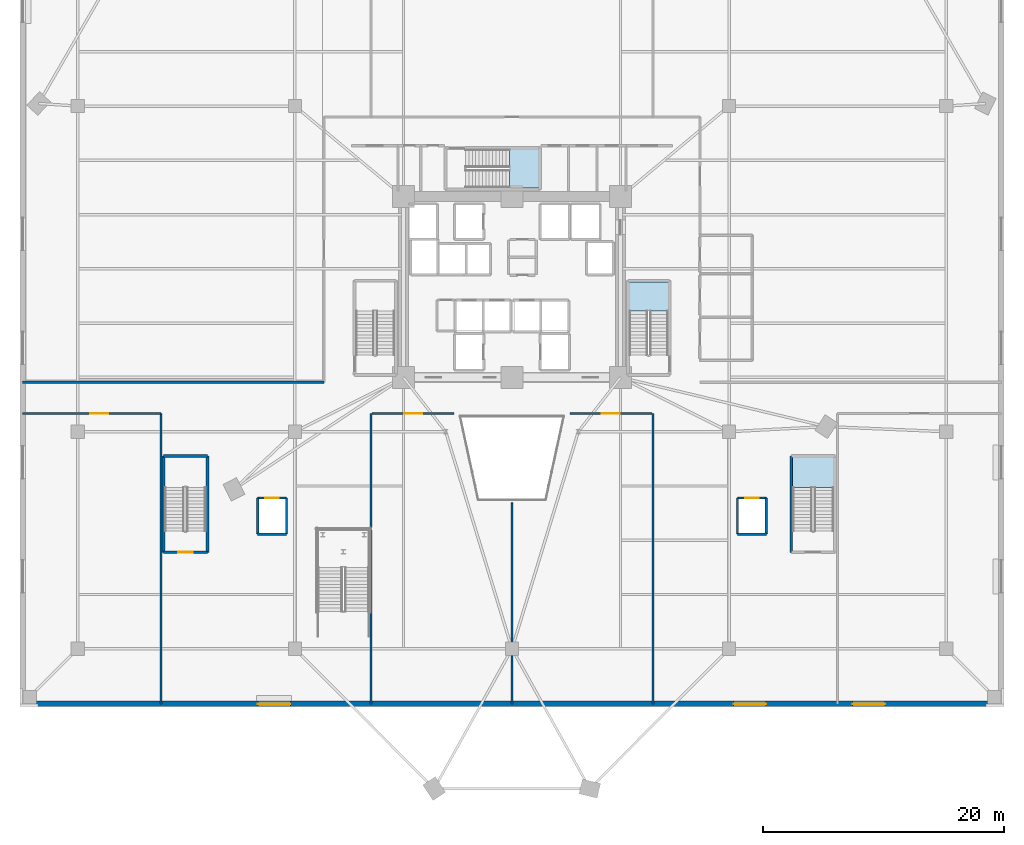
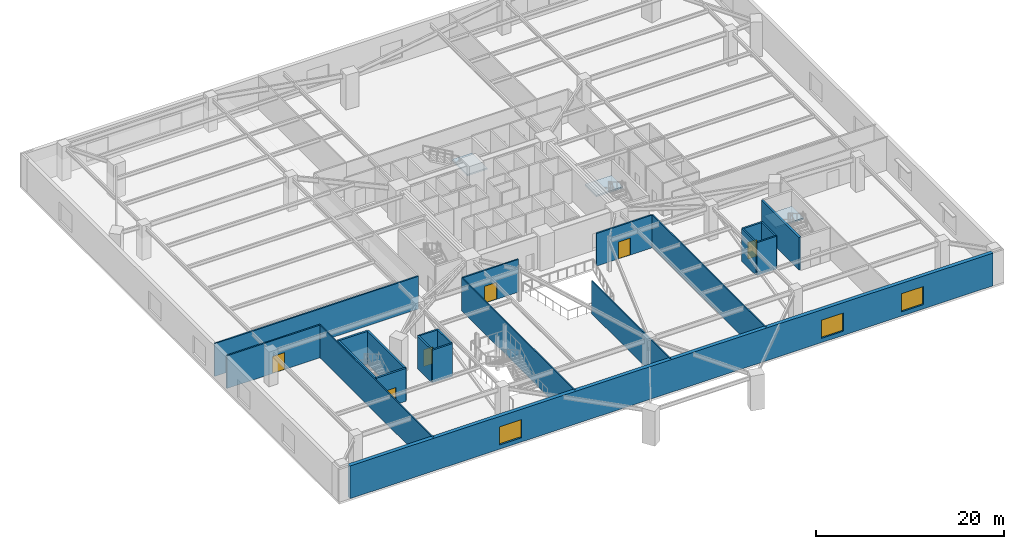
# One storey, part 5 of 16: 22 walls, 6 doors, 3 slabs, 3 windows, 9 openings, 3 elements without a shape of their own.
"""IFC4 building model written with IfcOpenShell, lengths in metres."""

from ifc_helpers import new_model, si_unit, direction, frame, frame_2d, origin, place, context, subcontext, project, spatial, polyline, rectangle, outline, extrude, source, transform, mapped, material, layer, layer_set, type_object, element, fill, aggregate, save


model = new_model("IFC4")

# Units and contexts
model_context = context("Model", 3, precision=1e-05, world=origin(), true_north=direction((0.0, 1.0)))
body_context = subcontext(model_context, "Body", "Model", "MODEL_VIEW")
ifc_project = project(units=[si_unit("LENGTHUNIT", "METRE"), si_unit("AREAUNIT", "SQUARE_METRE"), si_unit("VOLUMEUNIT", "CUBIC_METRE"), si_unit("PLANEANGLEUNIT", "RADIAN"), si_unit("MASSUNIT", "GRAM", prefix="KILO")], contexts=[model_context])

# Site, building, storey
site_placement = place(None, origin())
site = spatial("IfcSite", under=ifc_project, at=site_placement, CompositionType="ELEMENT")
building_placement = place(site_placement, origin())
building = spatial("IfcBuilding", under=site, at=building_placement, Name="Liaohun Quay Tower", CompositionType="ELEMENT")
storey_placement = place(building_placement, frame((0.0, 0.0, 14.39990234375)))
storey = spatial("IfcBuildingStorey", under=building, at=storey_placement, Name="L04", CompositionType="ELEMENT", Elevation=14.39990234375)

# Stair, slab
ifc_material_1 = material(Name="Concrete C45", Category="concrete")
stair_type_1 = type_object("IfcStairType", Name="STR-CORE-TALL", PredefinedType="HALF_TURN_STAIR", material=ifc_material_1)
stair_1_placement = place(storey_placement, origin())
stair_1 = element("IfcStair", 1, at=stair_1_placement, inside=storey, type_object=stair_type_1, Name="L04 Smokeproof Core Exit Stair ST-2", PredefinedType="HALF_TURN_STAIR")
ifc_layer_1 = layer(ifc_material_1, 0.199951171875, Name="Concrete C45", Category="concrete")
ifc_layer_set_1 = layer_set([ifc_layer_1], Name="Concrete C45")
slab_type = type_object("IfcSlabType", Name="SLB-LND-200", PredefinedType="LANDING", material=ifc_layer_set_1)
slab_1_placement = place(storey_placement, frame((0.0, 0.0, 2.050048828125)))
slab_1 = element("IfcSlab", 2, at=slab_1_placement, type_object=slab_type, Name="ST-2 landing 1", PredefinedType="LANDING", context=body_context, shape_type="SweptSolid", body=[
    extrude(outline(polyline([(72.9599609375, 51.989990234375), (72.9599609375, 54.419921875), (69.719970703125, 54.419921875), (69.719970703125, 51.989990234375), (72.9599609375, 51.989990234375)])), origin(), (0.0, 0.0, 1.0), 0.199951171875),
])
aggregate(stair_1, [slab_1])

stair_2_placement = place(storey_placement, origin())
stair_2 = element("IfcStair", 3, at=stair_2_placement, inside=storey, type_object=stair_type_1, Name="L04 Smokeproof Core Exit Stair ST-3", PredefinedType="HALF_TURN_STAIR")
slab_2_placement = place(storey_placement, frame((0.0, 0.0, 2.050048828125)))
slab_2 = element("IfcSlab", 4, at=slab_2_placement, type_object=slab_type, Name="ST-3 landing 1", PredefinedType="LANDING", context=body_context, shape_type="SweptSolid", body=[
    extrude(outline(polyline([(59.7900390625, 62.199951171875), (62.219970703125, 62.199951171875), (62.219970703125, 65.43994140625), (59.7900390625, 65.43994140625), (59.7900390625, 62.199951171875)])), origin(), (0.0, 0.0, 1.0), 0.199951171875),
])
aggregate(stair_2, [slab_2])

stair_type_2 = type_object("IfcStairType", Name="STR-POD-EXIT", PredefinedType="TWO_STRAIGHT_RUN_STAIR", material=ifc_material_1)
stair_3_placement = place(storey_placement, origin())
stair_3 = element("IfcStair", 5, at=stair_3_placement, inside=storey, type_object=stair_type_2, Name="L04 Podium Smokeproof Exit Stair ST-P2", PredefinedType="TWO_STRAIGHT_RUN_STAIR")
slab_3_placement = place(storey_placement, frame((0.0, 0.0, 2.050048828125)))
slab_3 = element("IfcSlab", 6, at=slab_3_placement, type_object=slab_type, Name="ST-P2 landing 1", PredefinedType="LANDING", context=body_context, shape_type="SweptSolid", body=[
    extrude(outline(polyline([(86.699951171875, 37.389892578125), (86.699951171875, 39.89990234375), (83.260009765625, 39.89990234375), (83.260009765625, 37.389892578125), (86.699951171875, 37.389892578125)])), origin(), (0.0, 0.0, 1.0), 0.199951171875),
])
aggregate(stair_3, [slab_3])

# Wall, openings, windows
ifc_material_2 = material(Name="Precast concrete C50 with granite facing", Category="masonry")
ifc_layer_2 = layer(ifc_material_2, 0.4599609375, Name="Precast concrete C50 with granite facing", Category="masonry")
ifc_layer_set_2 = layer_set([ifc_layer_2], Name="Precast concrete C50 with granite facing")
wall_type_1 = type_object("IfcWallType", Name="WAL-EXT-POD", PredefinedType="SOLIDWALL", material=ifc_layer_set_2)
wall_1_placement = place(storey_placement, frame((20.5400390625, 19.429931640625, 0.0), z_axis=(0.0, 0.0, 1.0), x_axis=(1.0, 0.0, 0.0)))
wall_1 = element("IfcWall", 7, at=wall_1_placement, inside=storey, type_object=wall_type_1, Name="L04 Podium Precast Facade Wall 04", PredefinedType="SOLIDWALL", context=body_context, shape_type="SweptSolid", body=[
    extrude(rectangle(XDim=78.919921875, YDim=0.4599609375, at=frame_2d((39.4599609375, 0.0))), origin(), (0.0, 0.0, 1.0), 4.25),
])
shared_shape_1 = source(origin(), body_context, "Body", "SweptSolid", [
    extrude(rectangle(XDim=2.699951171875, YDim=2.35009765625, at=frame_2d((1.35009765625, 1.175048828125))), frame((0.0, 0.239990234375, 0.0), z_axis=(0.0, -1.0, 0.0), x_axis=(1.0, 0.0, 0.0)), (0.0, 0.0, 1.0), 0.47998046875),
])
opening_1_placement = place(wall_1_placement, frame((18.3798828125, 0.0, 0.550048828125)))
opening_1 = element("IfcOpeningElement", 8, at=opening_1_placement, cuts=wall_1, Name="Opening W06", PredefinedType="OPENING", context=body_context, shape_type="MappedRepresentation", body=[
    mapped(shared_shape_1, transform((0.0, 0.0, 0.0), x_axis=(1.0, 0.0, 0.0), y_axis=(0.0, 1.0, 0.0), z_axis=(0.0, 0.0, 1.0), scale=1.0)),
])
opening_2_placement = place(wall_1_placement, frame((57.840087890625, 0.0, 0.550048828125)))
opening_2 = element("IfcOpeningElement", 9, at=opening_2_placement, cuts=wall_1, Name="Opening W06", PredefinedType="OPENING", context=body_context, shape_type="MappedRepresentation", body=[
    mapped(shared_shape_1, transform((0.0, 0.0, 0.0), x_axis=(1.0, 0.0, 0.0), y_axis=(0.0, 1.0, 0.0), z_axis=(0.0, 0.0, 1.0), scale=1.0)),
])
opening_3_placement = place(wall_1_placement, frame((67.705078125, 0.0, 0.550048828125)))
opening_3 = element("IfcOpeningElement", 10, at=opening_3_placement, cuts=wall_1, Name="Opening W06", PredefinedType="OPENING", context=body_context, shape_type="MappedRepresentation", body=[
    mapped(shared_shape_1, transform((0.0, 0.0, 0.0), x_axis=(1.0, 0.0, 0.0), y_axis=(0.0, 1.0, 0.0), z_axis=(0.0, 0.0, 1.0), scale=1.0)),
])
ifc_material_3 = material(Name="Triple Low-E waterfront podium glazing", Category="glass")
window_type = type_object("IfcWindowType", Name="WIN-POD-ARC", PartitioningType="TRIPLE_PANEL_VERTICAL", PredefinedType="WINDOW", material=ifc_material_3)
shared_shape_2 = source(origin(), body_context, "Body", "SweptSolid", [
    extrude(rectangle(XDim=2.699951171875, YDim=2.35009765625, at=frame_2d((1.35009765625, 1.175048828125))), frame((0.0, 0.030029296875, 0.0), z_axis=(0.0, -1.0, 0.0), x_axis=(1.0, 0.0, 0.0)), (0.0, 0.0, 1.0), 0.06005859375),
])
window_1_placement = place(opening_1_placement, origin())
window_1 = element("IfcWindow", 11, at=window_1_placement, inside=storey, type_object=window_type, Name="L04 Podium Punched Window W06-04-02", OverallHeight=2.35009765625, OverallWidth=2.699951171875, PartitioningType="TRIPLE_PANEL_VERTICAL", PredefinedType="WINDOW", context=body_context, shape_type="MappedRepresentation", body=[
    mapped(shared_shape_2, transform((0.0, 0.0, 0.0), x_axis=(1.0, 0.0, 0.0), y_axis=(0.0, 1.0, 0.0), z_axis=(0.0, 0.0, 1.0), scale=1.0)),
])
fill(opening_1, window_1)
window_2_placement = place(opening_2_placement, origin())
window_2 = element("IfcWindow", 12, at=window_2_placement, inside=storey, type_object=window_type, Name="L04 Podium Punched Window W06-04-06", OverallHeight=2.35009765625, OverallWidth=2.699951171875, PartitioningType="TRIPLE_PANEL_VERTICAL", PredefinedType="WINDOW", context=body_context, shape_type="MappedRepresentation", body=[
    mapped(shared_shape_2, transform((0.0, 0.0, 0.0), x_axis=(1.0, 0.0, 0.0), y_axis=(0.0, 1.0, 0.0), z_axis=(0.0, 0.0, 1.0), scale=1.0)),
])
fill(opening_2, window_2)
window_3_placement = place(opening_3_placement, origin())
window_3 = element("IfcWindow", 13, at=window_3_placement, inside=storey, type_object=window_type, Name="L04 Podium Punched Window W06-04-07", OverallHeight=2.35009765625, OverallWidth=2.699951171875, PartitioningType="TRIPLE_PANEL_VERTICAL", PredefinedType="WINDOW", context=body_context, shape_type="MappedRepresentation", body=[
    mapped(shared_shape_2, transform((0.0, 0.0, 0.0), x_axis=(1.0, 0.0, 0.0), y_axis=(0.0, 1.0, 0.0), z_axis=(0.0, 0.0, 1.0), scale=1.0)),
])
fill(opening_3, window_3)

# Wall, opening, door
ifc_material_4 = material(Name="Autoclaved aerated concrete blockwork", Category="masonry")
ifc_layer_3 = layer(ifc_material_4, 0.179931640625, Name="Autoclaved aerated concrete blockwork", Category="masonry")
ifc_layer_set_3 = layer_set([ifc_layer_3], Name="Autoclaved aerated concrete blockwork")
wall_type_2 = type_object("IfcWallType", Name="WAL-PRT-COR", PredefinedType="PARTITIONING", material=ifc_layer_set_3)
wall_2_placement = place(storey_placement, frame((48.39990234375, 43.5, 0.0), z_axis=(0.0, 0.0, 1.0), x_axis=(1.0, 0.0, 0.0)))
wall_2 = element("IfcWall", 14, at=wall_2_placement, inside=storey, type_object=wall_type_2, Name="L04 Interior Partition Wall 014", PredefinedType="PARTITIONING", context=body_context, shape_type="SweptSolid", body=[
    extrude(rectangle(XDim=6.800048828125, YDim=0.179931640625, at=frame_2d((3.39990234375, 0.0))), origin(), (0.0, 0.0, 1.0), 4.25),
])
shared_shape_3 = source(origin(), body_context, "Body", "SweptSolid", [
    extrude(rectangle(XDim=1.5, YDim=2.199951171875, at=frame_2d((0.75, 1.10009765625))), frame((0.0, 0.099853515625, 0.0), z_axis=(0.0, -1.0, 0.0), x_axis=(1.0, 0.0, 0.0)), (0.0, 0.0, 1.0), 0.199951171875),
])
opening_4_placement = place(wall_2_placement, frame((2.64990234375, 0.0, 0.0)))
opening_4 = element("IfcOpeningElement", 15, at=opening_4_placement, cuts=wall_2, Name="Opening OD2", PredefinedType="OPENING", context=body_context, shape_type="MappedRepresentation", body=[
    mapped(shared_shape_3, transform((0.0, 0.0, 0.0), x_axis=(1.0, 0.0, 0.0), y_axis=(0.0, 1.0, 0.0), z_axis=(0.0, 0.0, 1.0), scale=1.0)),
])
ifc_material_5 = material(Name="Acoustic oak veneer double door")
door_type_1 = type_object("IfcDoorType", Name="DOR-OFF-1500", OperationType="DOUBLE_DOOR_SINGLE_SWING", PredefinedType="DOOR", material=ifc_material_5)
shared_shape_4 = source(origin(), body_context, "Body", "SweptSolid", [
    extrude(rectangle(XDim=1.5, YDim=2.199951171875, at=frame_2d((0.75, 1.10009765625))), frame((0.0, 0.02490234375, 0.0), z_axis=(0.0, -1.0, 0.0), x_axis=(1.0, 0.0, 0.0)), (0.0, 0.0, 1.0), 0.050048828125),
])
door_1_placement = place(opening_4_placement, origin())
door_1 = element("IfcDoor", 16, at=door_1_placement, inside=storey, type_object=door_type_1, Name="L04 Atrium Overlook Foyer West Door", OperationType="DOUBLE_DOOR_SINGLE_SWING", OverallHeight=2.199951171875, OverallWidth=1.5, PredefinedType="DOOR", context=body_context, shape_type="MappedRepresentation", body=[
    mapped(shared_shape_4, transform((0.0, 0.0, 0.0), x_axis=(1.0, 0.0, 0.0), y_axis=(0.0, 1.0, 0.0), z_axis=(0.0, 0.0, 1.0), scale=1.0)),
])
fill(opening_4, door_1)

wall_3_placement = place(storey_placement, frame((64.800048828125, 43.5, 0.0), z_axis=(0.0, 0.0, 1.0), x_axis=(1.0, 0.0, 0.0)))
wall_3 = element("IfcWall", 17, at=wall_3_placement, inside=storey, type_object=wall_type_2, Name="L04 Interior Partition Wall 015", PredefinedType="PARTITIONING", context=body_context, shape_type="SweptSolid", body=[
    extrude(rectangle(XDim=6.800048828125, YDim=0.179931640625, at=frame_2d((3.39990234375, 0.0))), origin(), (0.0, 0.0, 1.0), 4.25),
])
opening_5_placement = place(wall_3_placement, frame((2.64990234375, 0.0, 0.0)))
opening_5 = element("IfcOpeningElement", 18, at=opening_5_placement, cuts=wall_3, Name="Opening OD2", PredefinedType="OPENING", context=body_context, shape_type="MappedRepresentation", body=[
    mapped(shared_shape_3, transform((0.0, 0.0, 0.0), x_axis=(1.0, 0.0, 0.0), y_axis=(0.0, 1.0, 0.0), z_axis=(0.0, 0.0, 1.0), scale=1.0)),
])
door_2_placement = place(opening_5_placement, origin())
door_2 = element("IfcDoor", 19, at=door_2_placement, inside=storey, type_object=door_type_1, Name="L04 Atrium Overlook Foyer East Door", OperationType="DOUBLE_DOOR_SINGLE_SWING", OverallHeight=2.199951171875, OverallWidth=1.5, PredefinedType="DOOR", context=body_context, shape_type="MappedRepresentation", body=[
    mapped(shared_shape_4, transform((0.0, 0.0, 0.0), x_axis=(1.0, 0.0, 0.0), y_axis=(0.0, 1.0, 0.0), z_axis=(0.0, 0.0, 1.0), scale=1.0)),
])
fill(opening_5, door_2)

wall_4_placement = place(storey_placement, frame((19.425048828125, 43.5, 0.0), z_axis=(0.0, 0.0, 1.0), x_axis=(1.0, 0.0, 0.0)))
wall_4 = element("IfcWall", 20, at=wall_4_placement, inside=storey, type_object=wall_type_2, Name="L04 Interior Partition Wall 016", PredefinedType="PARTITIONING", context=body_context, shape_type="SweptSolid", body=[
    extrude(rectangle(XDim=11.474853515625, YDim=0.179931640625, at=frame_2d((5.7373046875, 0.0))), origin(), (0.0, 0.0, 1.0), 4.25),
])
opening_6_placement = place(wall_4_placement, frame((5.5869140625, 0.0, 0.0)))
opening_6 = element("IfcOpeningElement", 21, at=opening_6_placement, cuts=wall_4, Name="Opening OD2", PredefinedType="OPENING", context=body_context, shape_type="MappedRepresentation", body=[
    mapped(shared_shape_3, transform((0.0, 0.0, 0.0), x_axis=(1.0, 0.0, 0.0), y_axis=(0.0, 1.0, 0.0), z_axis=(0.0, 0.0, 1.0), scale=1.0)),
])
door_3_placement = place(opening_6_placement, origin())
door_3 = element("IfcDoor", 22, at=door_3_placement, inside=storey, type_object=door_type_1, Name="L04 Executive Advisory Concourse Door", OperationType="DOUBLE_DOOR_SINGLE_SWING", OverallHeight=2.199951171875, OverallWidth=1.5, PredefinedType="DOOR", context=body_context, shape_type="MappedRepresentation", body=[
    mapped(shared_shape_4, transform((0.0, 0.0, 0.0), x_axis=(1.0, 0.0, 0.0), y_axis=(0.0, 1.0, 0.0), z_axis=(0.0, 0.0, 1.0), scale=1.0)),
])
fill(opening_6, door_3)

# Walls
wall_5_placement = place(storey_placement, frame((19.425048828125, 46.10009765625, 0.0), z_axis=(0.0, 0.0, 1.0), x_axis=(1.0, 0.0, 0.0)))
element("IfcWall", 23, at=wall_5_placement, inside=storey, type_object=wall_type_2, Name="L04 Interior Partition Wall 031", PredefinedType="PARTITIONING", context=body_context, shape_type="SweptSolid", body=[
    extrude(rectangle(XDim=24.994873046875, YDim=0.179931640625, at=frame_2d((12.49755859375, 0.0))), origin(), (0.0, 0.0, 1.0), 4.25),
])
ifc_material_6 = material(Name="Gypsum board on twin steel studs", Category="steel")
ifc_layer_4 = layer(ifc_material_6, 0.139892578125, Name="Gypsum board on twin steel studs", Category="steel")
ifc_layer_set_4 = layer_set([ifc_layer_4], Name="Gypsum board on twin steel studs")
wall_type_3 = type_object("IfcWallType", Name="WAL-PRT-OFF", PredefinedType="PARTITIONING", material=ifc_layer_set_4)
for number, where, z_axis, x_axis, name in (
    (24, (30.89990234375, 19.425048828125, 0.0), (0.0, 0.0, 1.0), (0.0, 1.0, 0.0), "L04 Interior Partition Wall 035"),
    (25, (48.300048828125, 19.425048828125, 0.0), (0.0, 0.0, 1.0), (0.0, 1.0, 0.0), "L04 Interior Partition Wall 037"),
    (26, (71.699951171875, 19.425048828125, 0.0), (0.0, 0.0, 1.0), (0.0, 1.0, 0.0), "L04 Interior Partition Wall 038"),
):
    element("IfcWall", number, at=place(storey_placement, frame(where, z_axis=z_axis, x_axis=x_axis)), inside=storey, type_object=wall_type_3, Name=name, PredefinedType="PARTITIONING", context=body_context, shape_type="SweptSolid", body=[
        extrude(rectangle(XDim=24.074951171875, YDim=0.139892578125, at=frame_2d((12.03759765625, 0.0))), origin(), (0.0, 0.0, 1.0), 4.25),
    ])
wall_6_placement = place(storey_placement, frame((60.0, 19.425048828125, 0.0), z_axis=(0.0, 0.0, 1.0), x_axis=(0.0, 1.0, 0.0)))
element("IfcWall", 27, at=wall_6_placement, inside=storey, type_object=wall_type_3, Name="L04 Interior Partition Wall 039", PredefinedType="PARTITIONING", context=body_context, shape_type="SweptSolid", body=[
    extrude(rectangle(XDim=16.675048828125, YDim=0.139892578125, at=frame_2d((8.33740234375, 0.0))), origin(), (0.0, 0.0, 1.0), 4.25),
])

# Wall, opening, door
ifc_material_7 = material(Name="Concrete C50", Category="concrete")
ifc_layer_5 = layer(ifc_material_7, 0.239990234375, Name="Concrete C50", Category="concrete")
ifc_layer_set_5 = layer_set([ifc_layer_5], Name="Concrete C50")
wall_type_4 = type_object("IfcWallType", Name="WAL-SHF-200", PredefinedType="SOLIDWALL", material=ifc_layer_set_5)
wall_7_placement = place(storey_placement, frame((31.10009765625, 32.0, 0.0), z_axis=(0.0, 0.0, 1.0), x_axis=(1.0, 0.0, 0.0)))
wall_7 = element("IfcWall", 28, at=wall_7_placement, inside=storey, type_object=wall_type_4, Name="L04 Stairwell ST-P1 Structural Core Wall S", PredefinedType="SOLIDWALL", context=body_context, shape_type="SweptSolid", body=[
    extrude(rectangle(XDim=3.639892578125, YDim=0.239990234375, at=frame_2d((1.81982421875, 0.0))), origin(), (0.0, 0.0, 1.0), 4.25),
])
shared_shape_5 = source(origin(), body_context, "Body", "SweptSolid", [
    extrude(rectangle(XDim=1.199951171875, YDim=2.199951171875, at=frame_2d((0.60009765625, 1.10009765625))), frame((0.0, 0.1298828125, 0.0), z_axis=(0.0, -1.0, 0.0), x_axis=(1.0, 0.0, 0.0)), (0.0, 0.0, 1.0), 0.260009765625),
])
opening_7_placement = place(wall_7_placement, frame((1.219970703125, 0.0, 0.0)))
opening_7 = element("IfcOpeningElement", 29, at=opening_7_placement, cuts=wall_7, Name="Opening SD1", PredefinedType="OPENING", context=body_context, shape_type="MappedRepresentation", body=[
    mapped(shared_shape_5, transform((0.0, 0.0, 0.0), x_axis=(1.0, 0.0, 0.0), y_axis=(0.0, 1.0, 0.0), z_axis=(0.0, 0.0, 1.0), scale=1.0)),
])
ifc_material_8 = material(Name="Galvanised steel fire door", Category="steel")
door_type_2 = type_object("IfcDoorType", Name="DOR-STR-1200", OperationType="NOTDEFINED", PredefinedType="DOOR", material=ifc_material_8)
shared_shape_6 = source(origin(), body_context, "Body", "SweptSolid", [
    extrude(rectangle(XDim=1.199951171875, YDim=2.199951171875, at=frame_2d((0.60009765625, 1.10009765625))), frame((0.0, 0.02490234375, 0.0), z_axis=(0.0, -1.0, 0.0), x_axis=(1.0, 0.0, 0.0)), (0.0, 0.0, 1.0), 0.050048828125),
])
door_4_placement = place(opening_7_placement, origin())
door_4 = element("IfcDoor", 30, at=door_4_placement, inside=storey, type_object=door_type_2, Name="L04 Protected Stair ST-P1 Fire Door", OperationType="SINGLE_SWING_LEFT", OverallHeight=2.199951171875, OverallWidth=1.199951171875, PredefinedType="DOOR", context=body_context, shape_type="MappedRepresentation", body=[
    mapped(shared_shape_6, transform((0.0, 0.0, 0.0), x_axis=(1.0, 0.0, 0.0), y_axis=(0.0, 1.0, 0.0), z_axis=(0.0, 0.0, 1.0), scale=1.0)),
])
fill(opening_7, door_4)

# Walls
wall_8_placement = place(storey_placement, frame((34.739990234375, 32.0, 0.0), z_axis=(0.0, 0.0, 1.0), x_axis=(0.0, 1.0, 0.0)))
element("IfcWall", 31, at=wall_8_placement, inside=storey, type_object=wall_type_4, Name="L04 Stairwell ST-P1 Structural Core Wall E", PredefinedType="SOLIDWALL", context=body_context, shape_type="SweptSolid", body=[
    extrude(rectangle(XDim=8.0, YDim=0.239990234375, at=frame_2d((4.0, 0.0))), origin(), (0.0, 0.0, 1.0), 4.25),
])
wall_9_placement = place(storey_placement, frame((34.739990234375, 40.0, 0.0), z_axis=(0.0, 0.0, 1.0), x_axis=(-1.0, 0.0, 0.0)))
element("IfcWall", 32, at=wall_9_placement, inside=storey, type_object=wall_type_4, Name="L04 Stairwell ST-P1 Structural Core Wall N", PredefinedType="SOLIDWALL", context=body_context, shape_type="SweptSolid", body=[
    extrude(rectangle(XDim=3.639892578125, YDim=0.239990234375, at=frame_2d((1.81982421875, 0.0))), origin(), (0.0, 0.0, 1.0), 4.25),
])
for number, where, z_axis, x_axis, name in (
    (33, (31.10009765625, 40.0, 0.0), (0.0, 0.0, 1.0), (0.0, -1.0, 0.0), "L04 Stairwell ST-P1 Structural Core Wall W"),
    (34, (83.159912109375, 40.0, 0.0), (0.0, 0.0, 1.0), (0.0, -1.0, 0.0), "L04 Stairwell ST-P2 Structural Core Wall W"),
):
    element("IfcWall", number, at=place(storey_placement, frame(where, z_axis=z_axis, x_axis=x_axis)), inside=storey, type_object=wall_type_4, Name=name, PredefinedType="SOLIDWALL", context=body_context, shape_type="SweptSolid", body=[
        extrude(rectangle(XDim=8.0, YDim=0.239990234375, at=frame_2d((4.0, 0.0))), origin(), (0.0, 0.0, 1.0), 4.25),
    ])
wall_10_placement = place(storey_placement, frame((38.89990234375, 33.5, 0.0), z_axis=(0.0, 0.0, 1.0), x_axis=(1.0, 0.0, 0.0)))
element("IfcWall", 35, at=wall_10_placement, inside=storey, type_object=wall_type_4, Name="L04 Lift PD-01 Hoistway Wall S", PredefinedType="SOLIDWALL", context=body_context, shape_type="SweptSolid", body=[
    extrude(rectangle(XDim=2.400146484375, YDim=0.199951171875, at=frame_2d((1.2001953125, 0.0))), origin(), (0.0, 0.0, 1.0), 4.25),
])
wall_11_placement = place(storey_placement, frame((41.300048828125, 33.5, 0.0), z_axis=(0.0, 0.0, 1.0), x_axis=(0.0, 1.0, 0.0)))
element("IfcWall", 36, at=wall_11_placement, inside=storey, type_object=wall_type_4, Name="L04 Lift PD-01 Hoistway Wall E", PredefinedType="SOLIDWALL", context=body_context, shape_type="SweptSolid", body=[
    extrude(rectangle(XDim=3.0, YDim=0.199951171875, at=frame_2d((1.5, 0.0))), origin(), (0.0, 0.0, 1.0), 4.25),
])

# Wall, opening, door
wall_12_placement = place(storey_placement, frame((41.300048828125, 36.5, 0.0), z_axis=(0.0, 0.0, 1.0), x_axis=(-1.0, 0.0, 0.0)))
wall_12 = element("IfcWall", 37, at=wall_12_placement, inside=storey, type_object=wall_type_4, Name="L04 Lift PD-01 Hoistway Wall N", PredefinedType="SOLIDWALL", context=body_context, shape_type="SweptSolid", body=[
    extrude(rectangle(XDim=2.400146484375, YDim=0.199951171875, at=frame_2d((1.2001953125, 0.0))), origin(), (0.0, 0.0, 1.0), 4.25),
])
shared_shape_7 = source(origin(), body_context, "Body", "SweptSolid", [
    extrude(rectangle(XDim=1.10009765625, YDim=2.199951171875, at=frame_2d((0.550048828125, 1.10009765625))), frame((0.0, 0.10986328125, 0.0), z_axis=(0.0, -1.0, 0.0), x_axis=(1.0, 0.0, 0.0)), (0.0, 0.0, 1.0), 0.219970703125),
])
opening_8_placement = place(wall_12_placement, frame((0.64990234375, 0.0, 0.0)))
opening_8 = element("IfcOpeningElement", 38, at=opening_8_placement, cuts=wall_12, Name="Opening LD1", PredefinedType="OPENING", context=body_context, shape_type="MappedRepresentation", body=[
    mapped(shared_shape_7, transform((0.0, 0.0, 0.0), x_axis=(1.0, 0.0, 0.0), y_axis=(0.0, 1.0, 0.0), z_axis=(0.0, 0.0, 1.0), scale=1.0)),
])
ifc_material_9 = material(Name="Brushed stainless steel landing door", Category="steel")
door_type_3 = type_object("IfcDoorType", Name="DOR-LFT-1100", OperationType="SLIDING_TO_LEFT", PredefinedType="DOOR", material=ifc_material_9)
shared_shape_8 = source(origin(), body_context, "Body", "SweptSolid", [
    extrude(rectangle(XDim=1.10009765625, YDim=2.199951171875, at=frame_2d((0.550048828125, 1.10009765625))), frame((0.0, 0.02490234375, 0.0), z_axis=(0.0, -1.0, 0.0), x_axis=(1.0, 0.0, 0.0)), (0.0, 0.0, 1.0), 0.050048828125),
])
door_5_placement = place(opening_8_placement, origin())
door_5 = element("IfcDoor", 39, at=door_5_placement, inside=storey, type_object=door_type_3, Name="L04 Lift PD-01 Sliding Landing Door", OperationType="SLIDING_TO_LEFT", OverallHeight=2.199951171875, OverallWidth=1.10009765625, PredefinedType="DOOR", context=body_context, shape_type="MappedRepresentation", body=[
    mapped(shared_shape_8, transform((0.0, 0.0, 0.0), x_axis=(1.0, 0.0, 0.0), y_axis=(0.0, 1.0, 0.0), z_axis=(0.0, 0.0, 1.0), scale=1.0)),
])
fill(opening_8, door_5)

# Walls
wall_13_placement = place(storey_placement, frame((38.89990234375, 36.5, 0.0), z_axis=(0.0, 0.0, 1.0), x_axis=(0.0, -1.0, 0.0)))
element("IfcWall", 40, at=wall_13_placement, inside=storey, type_object=wall_type_4, Name="L04 Lift PD-01 Hoistway Wall W", PredefinedType="SOLIDWALL", context=body_context, shape_type="SweptSolid", body=[
    extrude(rectangle(XDim=3.0, YDim=0.199951171875, at=frame_2d((1.5, 0.0))), origin(), (0.0, 0.0, 1.0), 4.25),
])
wall_14_placement = place(storey_placement, frame((78.699951171875, 33.5, 0.0), z_axis=(0.0, 0.0, 1.0), x_axis=(1.0, 0.0, 0.0)))
element("IfcWall", 41, at=wall_14_placement, inside=storey, type_object=wall_type_4, Name="L04 Lift PD-02 Hoistway Wall S", PredefinedType="SOLIDWALL", context=body_context, shape_type="SweptSolid", body=[
    extrude(rectangle(XDim=2.400146484375, YDim=0.199951171875, at=frame_2d((1.2001953125, 0.0))), origin(), (0.0, 0.0, 1.0), 4.25),
])
wall_15_placement = place(storey_placement, frame((81.10009765625, 33.5, 0.0), z_axis=(0.0, 0.0, 1.0), x_axis=(0.0, 1.0, 0.0)))
element("IfcWall", 42, at=wall_15_placement, inside=storey, type_object=wall_type_4, Name="L04 Lift PD-02 Hoistway Wall E", PredefinedType="SOLIDWALL", context=body_context, shape_type="SweptSolid", body=[
    extrude(rectangle(XDim=3.0, YDim=0.199951171875, at=frame_2d((1.5, 0.0))), origin(), (0.0, 0.0, 1.0), 4.25),
])

# Wall, opening, door
wall_16_placement = place(storey_placement, frame((81.10009765625, 36.5, 0.0), z_axis=(0.0, 0.0, 1.0), x_axis=(-1.0, 0.0, 0.0)))
wall_16 = element("IfcWall", 43, at=wall_16_placement, inside=storey, type_object=wall_type_4, Name="L04 Lift PD-02 Hoistway Wall N", PredefinedType="SOLIDWALL", context=body_context, shape_type="SweptSolid", body=[
    extrude(rectangle(XDim=2.400146484375, YDim=0.199951171875, at=frame_2d((1.2001953125, 0.0))), origin(), (0.0, 0.0, 1.0), 4.25),
])
opening_9_placement = place(wall_16_placement, frame((0.64990234375, 0.0, 0.0)))
opening_9 = element("IfcOpeningElement", 44, at=opening_9_placement, cuts=wall_16, Name="Opening LD1", PredefinedType="OPENING", context=body_context, shape_type="MappedRepresentation", body=[
    mapped(shared_shape_7, transform((0.0, 0.0, 0.0), x_axis=(1.0, 0.0, 0.0), y_axis=(0.0, 1.0, 0.0), z_axis=(0.0, 0.0, 1.0), scale=1.0)),
])
door_6_placement = place(opening_9_placement, origin())
door_6 = element("IfcDoor", 45, at=door_6_placement, inside=storey, type_object=door_type_3, Name="L04 Lift PD-02 Sliding Landing Door", OperationType="SLIDING_TO_LEFT", OverallHeight=2.199951171875, OverallWidth=1.10009765625, PredefinedType="DOOR", context=body_context, shape_type="MappedRepresentation", body=[
    mapped(shared_shape_8, transform((0.0, 0.0, 0.0), x_axis=(1.0, 0.0, 0.0), y_axis=(0.0, 1.0, 0.0), z_axis=(0.0, 0.0, 1.0), scale=1.0)),
])
fill(opening_9, door_6)

# Wall
wall_17_placement = place(storey_placement, frame((78.699951171875, 36.5, 0.0), z_axis=(0.0, 0.0, 1.0), x_axis=(0.0, -1.0, 0.0)))
element("IfcWall", 46, at=wall_17_placement, inside=storey, type_object=wall_type_4, Name="L04 Lift PD-02 Hoistway Wall W", PredefinedType="SOLIDWALL", context=body_context, shape_type="SweptSolid", body=[
    extrude(rectangle(XDim=3.0, YDim=0.199951171875, at=frame_2d((1.5, 0.0))), origin(), (0.0, 0.0, 1.0), 4.25),
])

save(model, "model.ifc")
